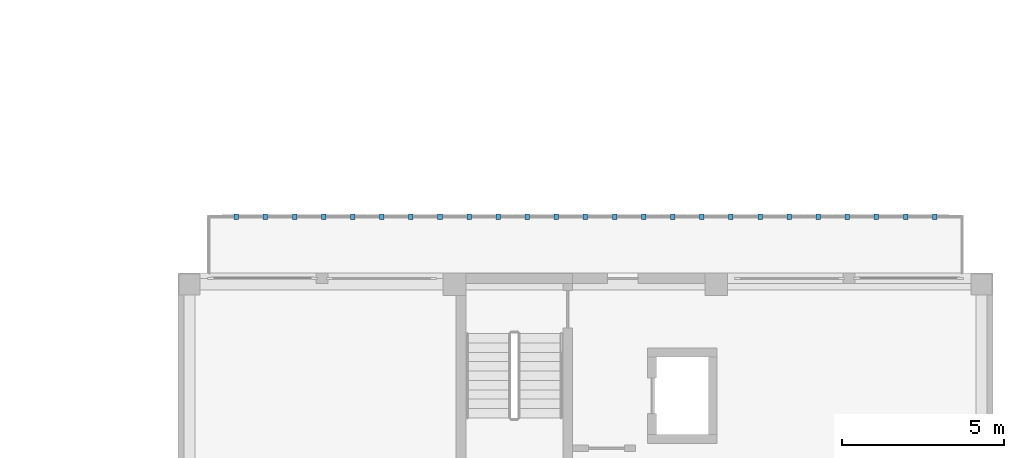
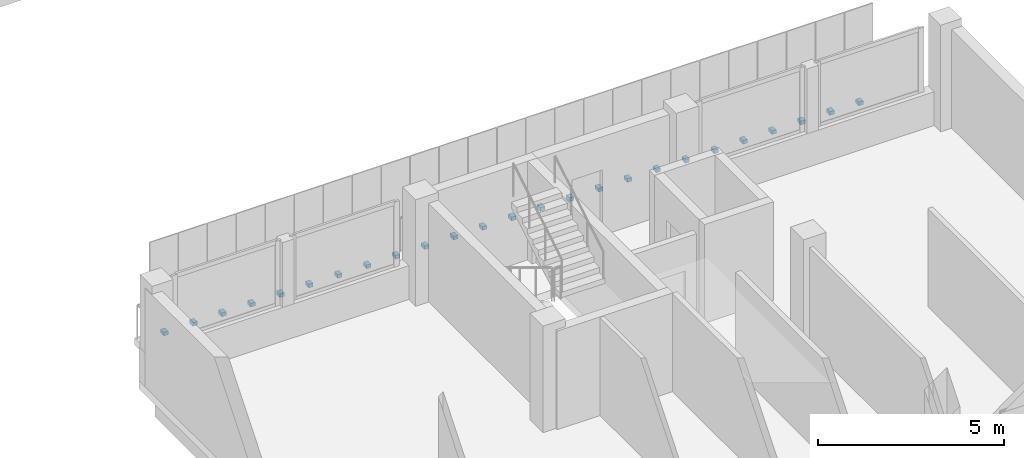
# One storey, part 57 of 73: 25 discrete accessories.
"""IFC4 building model written with IfcOpenShell, lengths in metres."""

from ifc_helpers import new_model, si_unit, derived_unit, direction, frame, origin, origin_2d, place, context, subcontext, project, spatial, rectangle, extrude, material, type_object, element, save


model = new_model("IFC4")

# Units and contexts
model_context = context("Model", 3, precision=1e-05, world=origin(), true_north=direction((0.0, 1.0)))
body_context = subcontext(model_context, "Body", "Model", "MODEL_VIEW")
ifc_project = project(units=[si_unit("LENGTHUNIT", "METRE"), si_unit("AREAUNIT", "SQUARE_METRE"), si_unit("VOLUMEUNIT", "CUBIC_METRE"), si_unit("PLANEANGLEUNIT", "RADIAN"), si_unit("MASSUNIT", "GRAM", prefix="KILO"), derived_unit("THERMALTRANSMITTANCEUNIT", [(si_unit("MASSUNIT", "GRAM", prefix="KILO"), 1), (si_unit("TIMEUNIT", "SECOND"), -3), (si_unit("THERMODYNAMICTEMPERATUREUNIT", "KELVIN"), -1)])], contexts=[model_context])

# Site, building, storey
site_placement = place(None, origin())
site = spatial("IfcSite", under=ifc_project, at=site_placement, CompositionType="ELEMENT")
building_placement = place(site_placement, origin())
building = spatial("IfcBuilding", under=site, at=building_placement, Name="Ochrekiln Boulevard Commons", CompositionType="ELEMENT")
storey_placement = place(building_placement, frame((0.0, 0.0, 8.574951171875)))
storey = spatial("IfcBuildingStorey", under=building, at=storey_placement, Name="L02", CompositionType="ELEMENT", Elevation=8.574951171875)

# Discrete accessories
ifc_material = material(Name="Steel A992 Grade 50", Category="steel")
discrete_accessory_type = type_object("IfcDiscreteAccessoryType", Name="ACC-BRK-CLEAT", PredefinedType="BRACKET", material=ifc_material)
for number, where, z_axis, x_axis, name in (
    (1, (149.39990234375, 52.139892578125, -0.139892578125), (0.0, 0.0, 1.0), (1.0, 0.0, 0.0), "Bronze Screen Slab-Edge Support Bracket 26"),
    (2, (150.300048828125, 52.139892578125, -0.139892578125), (0.0, 0.0, 1.0), (1.0, 0.0, 0.0), "Bronze Screen Slab-Edge Support Bracket 27"),
    (3, (151.199951171875, 52.139892578125, -0.139892578125), (0.0, 0.0, 1.0), (1.0, 0.0, 0.0), "Bronze Screen Slab-Edge Support Bracket 28"),
    (4, (152.10009765625, 52.139892578125, -0.139892578125), (0.0, 0.0, 1.0), (1.0, 0.0, 0.0), "Bronze Screen Slab-Edge Support Bracket 29"),
    (5, (153.0, 52.139892578125, -0.139892578125), (0.0, 0.0, 1.0), (1.0, 0.0, 0.0), "Bronze Screen Slab-Edge Support Bracket 30"),
    (6, (153.89990234375, 52.139892578125, -0.139892578125), (0.0, 0.0, 1.0), (1.0, 0.0, 0.0), "Bronze Screen Slab-Edge Support Bracket 31"),
    (7, (154.800048828125, 52.139892578125, -0.139892578125), (0.0, 0.0, 1.0), (1.0, 0.0, 0.0), "Bronze Screen Slab-Edge Support Bracket 32"),
    (8, (155.699951171875, 52.139892578125, -0.139892578125), (0.0, 0.0, 1.0), (1.0, 0.0, 0.0), "Bronze Screen Slab-Edge Support Bracket 33"),
    (9, (156.60009765625, 52.139892578125, -0.139892578125), (0.0, 0.0, 1.0), (1.0, 0.0, 0.0), "Bronze Screen Slab-Edge Support Bracket 34"),
    (10, (157.5, 52.139892578125, -0.139892578125), (0.0, 0.0, 1.0), (1.0, 0.0, 0.0), "Bronze Screen Slab-Edge Support Bracket 35"),
    (11, (158.39990234375, 52.139892578125, -0.139892578125), (0.0, 0.0, 1.0), (1.0, 0.0, 0.0), "Bronze Screen Slab-Edge Support Bracket 36"),
    (12, (159.300048828125, 52.139892578125, -0.139892578125), (0.0, 0.0, 1.0), (1.0, 0.0, 0.0), "Bronze Screen Slab-Edge Support Bracket 37"),
    (13, (160.199951171875, 52.139892578125, -0.139892578125), (0.0, 0.0, 1.0), (1.0, 0.0, 0.0), "Bronze Screen Slab-Edge Support Bracket 38"),
    (14, (161.10009765625, 52.139892578125, -0.139892578125), (0.0, 0.0, 1.0), (1.0, 0.0, 0.0), "Bronze Screen Slab-Edge Support Bracket 39"),
    (15, (162.0, 52.139892578125, -0.139892578125), (0.0, 0.0, 1.0), (1.0, 0.0, 0.0), "Bronze Screen Slab-Edge Support Bracket 40"),
    (16, (162.89990234375, 52.139892578125, -0.139892578125), (0.0, 0.0, 1.0), (1.0, 0.0, 0.0), "Bronze Screen Slab-Edge Support Bracket 41"),
    (17, (163.800048828125, 52.139892578125, -0.139892578125), (0.0, 0.0, 1.0), (1.0, 0.0, 0.0), "Bronze Screen Slab-Edge Support Bracket 42"),
    (18, (164.699951171875, 52.139892578125, -0.139892578125), (0.0, 0.0, 1.0), (1.0, 0.0, 0.0), "Bronze Screen Slab-Edge Support Bracket 43"),
    (19, (165.60009765625, 52.139892578125, -0.139892578125), (0.0, 0.0, 1.0), (1.0, 0.0, 0.0), "Bronze Screen Slab-Edge Support Bracket 44"),
    (20, (166.5, 52.139892578125, -0.139892578125), (0.0, 0.0, 1.0), (1.0, 0.0, 0.0), "Bronze Screen Slab-Edge Support Bracket 45"),
    (21, (167.39990234375, 52.139892578125, -0.139892578125), (0.0, 0.0, 1.0), (1.0, 0.0, 0.0), "Bronze Screen Slab-Edge Support Bracket 46"),
    (22, (168.300048828125, 52.139892578125, -0.139892578125), (0.0, 0.0, 1.0), (1.0, 0.0, 0.0), "Bronze Screen Slab-Edge Support Bracket 47"),
    (23, (169.199951171875, 52.139892578125, -0.139892578125), (0.0, 0.0, 1.0), (1.0, 0.0, 0.0), "Bronze Screen Slab-Edge Support Bracket 48"),
    (24, (170.10009765625, 52.139892578125, -0.139892578125), (0.0, 0.0, 1.0), (1.0, 0.0, 0.0), "Bronze Screen Slab-Edge Support Bracket 49"),
    (25, (171.0, 52.139892578125, -0.139892578125), (0.0, 0.0, 1.0), (1.0, 0.0, 0.0), "Bronze Screen Slab-Edge Support Bracket 50"),
):
    element("IfcDiscreteAccessory", number, at=place(storey_placement, frame(where, z_axis=z_axis, x_axis=x_axis)), inside=storey, type_object=discrete_accessory_type, Name=name, PredefinedType="BRACKET", context=body_context, shape_type="SweptSolid", body=[
        extrude(rectangle(XDim=0.139892578125, YDim=0.179931640625, at=origin_2d()), origin(), (0.0, 0.0, 1.0), 0.1201171875),
    ])

save(model, "model.ifc")
